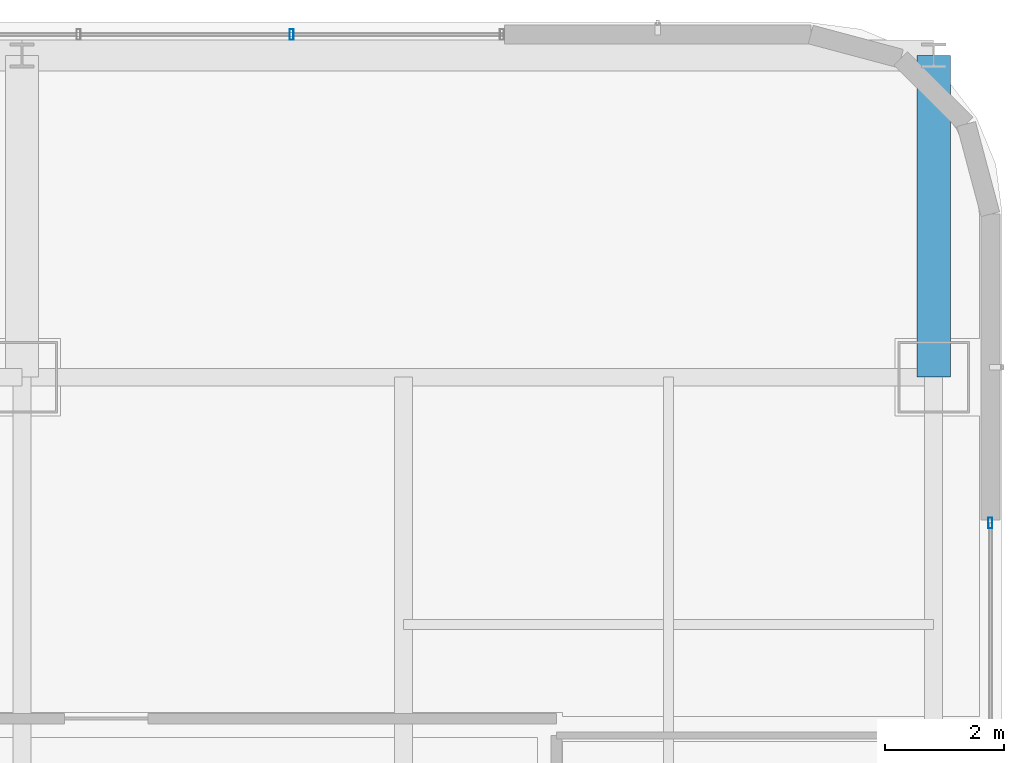
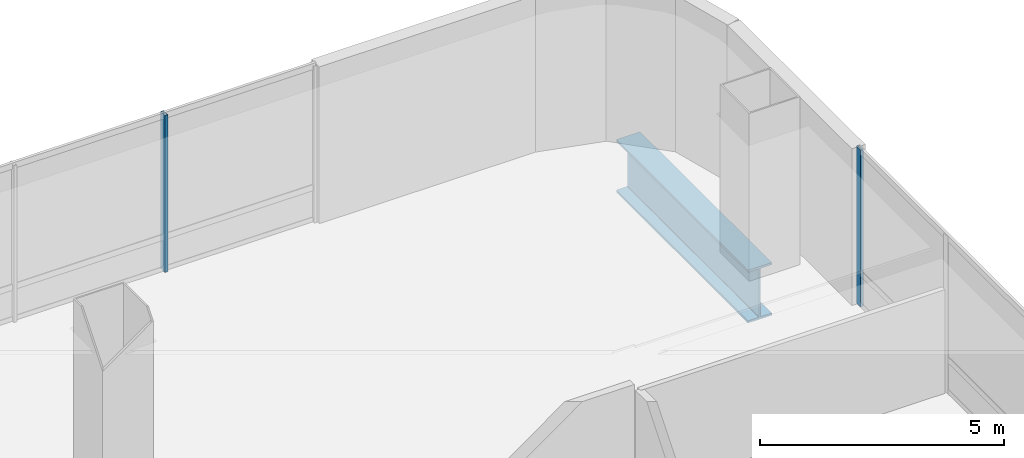
# One storey, part 28 of 51: 2 members, 1 beam, 2 elements without a shape of their own.
"""IFC4 building model written with IfcOpenShell, lengths in metres."""

from ifc_helpers import new_model, si_unit, direction, frame, origin, origin_2d, place, context, subcontext, project, spatial, hollow_rectangle, i_section, extrude, material, material_profile, profile_set, type_object, element, aggregate, save


model = new_model("IFC4")

# Units and contexts
model_context = context("Model", 3, precision=1e-05, world=origin(), true_north=direction((0.0, 1.0)))
body_context = subcontext(model_context, "Body", "Model", "MODEL_VIEW")
ifc_project = project(units=[si_unit("LENGTHUNIT", "METRE"), si_unit("AREAUNIT", "SQUARE_METRE"), si_unit("VOLUMEUNIT", "CUBIC_METRE"), si_unit("PLANEANGLEUNIT", "RADIAN"), si_unit("MASSUNIT", "GRAM", prefix="KILO")], contexts=[model_context])

# Site, building, storey
site_placement = place(None, origin())
site = spatial("IfcSite", under=ifc_project, at=site_placement, CompositionType="ELEMENT")
building_placement = place(site_placement, origin())
building = spatial("IfcBuilding", under=site, at=building_placement, Name="Punatoya Terracotta Tower", CompositionType="ELEMENT")
storey_placement = place(building_placement, frame((0.0, 0.0, 313.199951171875)))
storey = spatial("IfcBuildingStorey", under=building, at=storey_placement, Name="L74", CompositionType="ELEMENT", Elevation=313.199951171875)

# Beam
ifc_material_1 = material(Name="Steel S460", Category="steel")
ifc_material_profile_1 = material_profile(ifc_material_1, i_section(OverallWidth=0.56005859375, OverallDepth=1.320068359375, WebThickness=0.035888671875, FlangeThickness=0.054931640625, FilletRadius=0.01806640625, at=origin_2d()))
ifc_profile_set_1 = profile_set([ifc_material_profile_1], Name="Steel S460")
beam_type = type_object("IfcBeamType", Name="BM-TG-BLK", PredefinedType="BEAM", material=ifc_profile_set_1)
beam_placement = place(storey_placement, frame((19.10009765625, 17.5, -0.85986328125), z_axis=(0.0, 1.0, 0.0), x_axis=(-1.0, 0.0, 0.0)))
element("IfcBeam", 1, at=beam_placement, inside=storey, type_object=beam_type, Name="BM-L74-CANT-N4", PredefinedType="BEAM", context=body_context, shape_type="SweptSolid", body=[
    extrude(i_section(OverallWidth=0.56005859375, OverallDepth=1.320068359375, WebThickness=0.035888671875, FlangeThickness=0.054931640625, FilletRadius=0.01806640625, at=origin_2d()), origin(), (0.0, 0.0, 1.0), 5.39990234375),
])

# Curtain wall, member
ifc_material_2 = material(Name="Aluminium 6063-T6 + Double Low-E Glass", Category="aluminium")
curtain_wall_type = type_object("IfcCurtainWallType", Name="CW-M3", PredefinedType="NOTDEFINED", material=ifc_material_2)
curtain_wall_1_placement = place(storey_placement, origin())
curtain_wall_1 = element("IfcCurtainWall", 2, at=curtain_wall_1_placement, inside=storey, type_object=curtain_wall_type, Name="L74 Curtain Wall CW-L74-E05-1", PredefinedType="NOTDEFINED")
ifc_material_3 = material(Name="Aluminium 6063-T6", Category="aluminium")
ifc_material_profile_2 = material_profile(ifc_material_3, hollow_rectangle(XDim=0.070068359375, YDim=0.179931640625, WallThickness=0.00390625, at=origin_2d()))
ifc_profile_set_2 = profile_set([ifc_material_profile_2], Name="Aluminium 6063-T6")
member_type = type_object("IfcMemberType", Name="CW-MUL-M3", PredefinedType="MULLION", material=ifc_profile_set_2)
member_1_placement = place(storey_placement, frame((20.050048828125, 15.054931640625, 0.0), z_axis=(0.0, 0.0, 1.0), x_axis=(1.0, 0.0, 0.0)))
member_1 = element("IfcMember", 3, at=member_1_placement, type_object=member_type, Name="CW-L74-E05-1 Mullion 07", PredefinedType="MULLION", context=body_context, shape_type="SweptSolid", body=[
    extrude(hollow_rectangle(XDim=0.070068359375, YDim=0.179931640625, WallThickness=0.00390625, at=origin_2d()), origin(), (0.0, 0.0, 1.0), 3.920166015625),
])
aggregate(curtain_wall_1, [member_1])

curtain_wall_2_placement = place(storey_placement, origin())
curtain_wall_2 = element("IfcCurtainWall", 4, at=curtain_wall_2_placement, inside=storey, type_object=curtain_wall_type, Name="L74 Curtain Wall CW-L74-N09-1", PredefinedType="NOTDEFINED")
member_2_placement = place(storey_placement, frame((8.324951171875, 23.25, 0.0), z_axis=(0.0, 0.0, 1.0), x_axis=(1.0, 0.0, 0.0)))
member_2 = element("IfcMember", 5, at=member_2_placement, type_object=member_type, Name="CW-L74-N09-1 Mullion 01", PredefinedType="MULLION", context=body_context, shape_type="SweptSolid", body=[
    extrude(hollow_rectangle(XDim=0.070068359375, YDim=0.179931640625, WallThickness=0.00390625, at=origin_2d()), origin(), (0.0, 0.0, 1.0), 3.920166015625),
])
aggregate(curtain_wall_2, [member_2])

save(model, "model.ifc")
